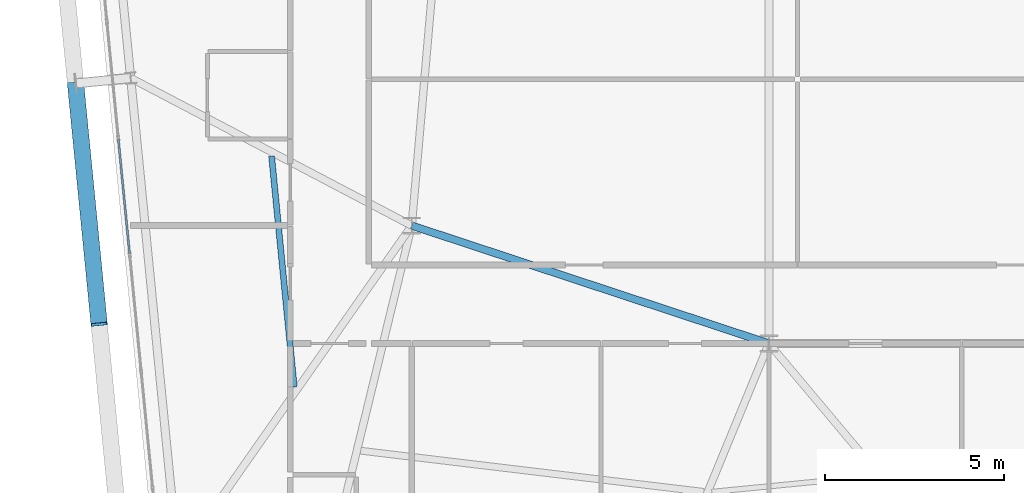
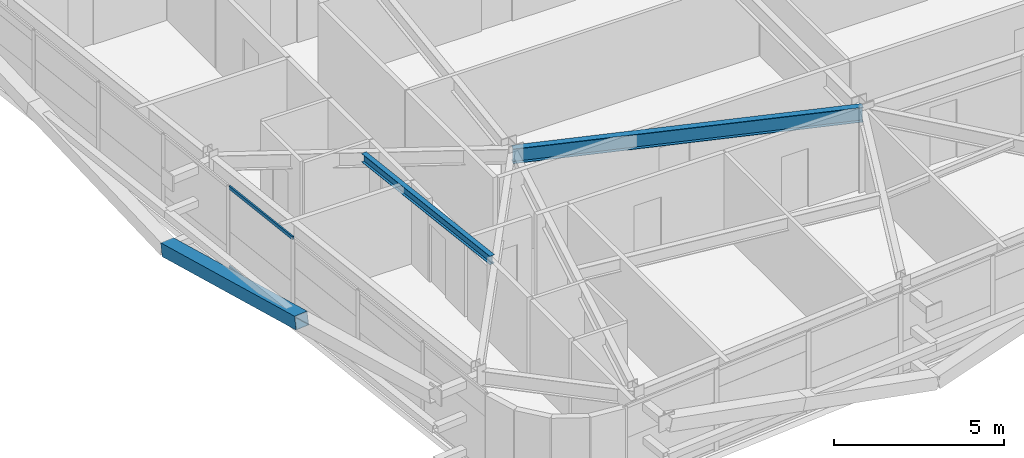
# One storey, part 9 of 54: 3 members, 2 beams, 1 element without a shape of its own.
"""IFC4 building model written with IfcOpenShell, lengths in metres."""

from ifc_helpers import new_model, si_unit, direction, frame, origin, origin_2d, place, context, subcontext, project, spatial, hollow_rectangle, i_section, extrude, source, transform, mapped, material, layer, layer_set, material_profile, profile_set, type_object, element, aggregate, save


model = new_model("IFC4")

# Units and contexts
model_context = context("Model", 3, precision=1e-05, world=origin(), true_north=direction((0.0, 1.0)))
body_context = subcontext(model_context, "Body", "Model", "MODEL_VIEW")
ifc_project = project(units=[si_unit("LENGTHUNIT", "METRE"), si_unit("AREAUNIT", "SQUARE_METRE"), si_unit("VOLUMEUNIT", "CUBIC_METRE"), si_unit("PLANEANGLEUNIT", "RADIAN"), si_unit("MASSUNIT", "GRAM", prefix="KILO")], contexts=[model_context])

# Site, building, storey
site_placement = place(None, origin())
site = spatial("IfcSite", under=ifc_project, at=site_placement, CompositionType="ELEMENT")
building_placement = place(site_placement, origin())
building = spatial("IfcBuilding", under=site, at=building_placement, Name="Taldren Reach Tower", CompositionType="ELEMENT")
storey_placement = place(building_placement, frame((0.0, 0.0, 102.89990234375)))
storey = spatial("IfcBuildingStorey", under=building, at=storey_placement, Name="L31", CompositionType="ELEMENT", Elevation=102.89990234375)

# Beams
ifc_material_1 = material(Name="Steel Gr 350 (350PLUS)", Category="steel")
ifc_material_profile_1 = material_profile(ifc_material_1, i_section(OverallWidth=0.208984375, OverallDepth=0.532958984375, WebThickness=0.01025390625, FlangeThickness=0.015625, at=origin_2d()), Name="530UB92.4")
ifc_profile_set_1 = profile_set([ifc_material_profile_1], Name="Steel Gr 350 (350PLUS)")
beam_type_1 = type_object("IfcBeamType", Name="BM-UB530A", PredefinedType="BEAM", material=ifc_profile_set_1)
shared_shape_1 = source(origin(), body_context, "Body", "SweptSolid", [
    extrude(i_section(OverallWidth=0.208984375, OverallDepth=0.532958984375, WebThickness=0.01025390625, FlangeThickness=0.015625, at=origin_2d()), origin(), (0.0, 0.0, 1.0), 10.530517578125),
])
beam_1_placement = place(storey_placement, frame((18.0, 12.5, 2.66357421875), z_axis=(0.949627269203, -0.313381635689, 0.0), x_axis=(0.313381635689, 0.949627269203, 0.0)))
element("IfcBeam", 1, at=beam_1_placement, inside=storey, type_object=beam_type_1, Name="Core-spine girder L31-SP10", PredefinedType="BEAM", context=body_context, shape_type="MappedRepresentation", body=[
    mapped(shared_shape_1, transform((0.0, 0.0, 0.0), scale=1.0)),
])
ifc_material_2 = material(Name="Steel Gr 300 (300PLUS, 300 MPa)", Category="steel")
ifc_material_profile_2 = material_profile(ifc_material_2, i_section(OverallWidth=0.166015625, OverallDepth=0.306884765625, WebThickness=0.006591796875, FlangeThickness=0.01171875, at=origin_2d()), Name="310UB46.2")
ifc_profile_set_2 = profile_set([ifc_material_profile_2], Name="Steel Gr 300 (300PLUS, 300 MPa)")
beam_type_2 = type_object("IfcBeamType", Name="JS-UB310", PredefinedType="JOIST", material=ifc_profile_set_2)
shared_shape_2 = source(origin(), body_context, "Body", "SweptSolid", [
    extrude(i_section(OverallWidth=0.166015625, OverallDepth=0.306884765625, WebThickness=0.006591796875, FlangeThickness=0.01171875, at=origin_2d()), origin(), (0.0, 0.0, 1.0), 6.489501953125),
])
beam_2_placement = place(storey_placement, frame((14.710693359375, 7.982666015625, 2.776611328125), z_axis=(-0.097588959486, 0.995226805802, 0.0), x_axis=(-0.995226805802, -0.097588959486, 0.0)))
element("IfcBeam", 2, at=beam_2_placement, inside=storey, type_object=beam_type_2, Name="Secondary floor joist B2 J6 L31", PredefinedType="JOIST", context=body_context, shape_type="MappedRepresentation", body=[
    mapped(shared_shape_2, transform((0.0, 0.0, 0.0), scale=1.0)),
])

# Member
ifc_material_3 = material(Name="Steel Gr 450 (C450L0)", Category="steel")
ifc_material_profile_3 = material_profile(ifc_material_3, hollow_rectangle(XDim=0.4599609375, YDim=0.4599609375, WallThickness=0.01611328125, at=origin_2d()), Name="460x460x16.0SHS")
ifc_profile_set_3 = profile_set([ifc_material_profile_3], Name="Steel Gr 450 (C450L0)")
member_type_1 = type_object("IfcMemberType", Name="MB-EXO457", PredefinedType="BRACE", material=ifc_profile_set_3)
shared_shape_3 = source(origin(), body_context, "Body", "SweptSolid", [
    extrude(hollow_rectangle(XDim=0.4599609375, YDim=0.4599609375, WallThickness=0.01611328125, at=origin_2d()), origin(), (0.0, 0.0, 1.0), 6.8828125),
])
member_1_placement = place(storey_placement, frame((8.587890625, 16.479736328125, 0.22021484375), z_axis=(0.096055397146, -0.979601884409, 0.176503565804), x_axis=(0.995226946838, 0.097587521166, 0.0)))
element("IfcMember", 3, at=member_1_placement, inside=storey, type_object=member_type_1, Name="Exoskeleton Diagrid Brace B2-W1 L31", PredefinedType="BRACE", context=body_context, shape_type="MappedRepresentation", body=[
    mapped(shared_shape_3, transform((0.0, 0.0, 0.0), scale=1.0)),
])

# Curtain wall, members
ifc_material_4 = material(Name="Aluminium and Low-E Glass Unitised System", Category="aluminium")
ifc_layer = layer(ifc_material_4, 0.159912109375)
ifc_layer_set = layer_set([ifc_layer], Name="Aluminium and Low-E Glass Unitised System")
curtain_wall_type = type_object("IfcCurtainWallType", Name="CW-SYS-3", PredefinedType="NOTDEFINED", material=ifc_layer_set)
curtain_wall_placement = place(storey_placement, origin())
curtain_wall = element("IfcCurtainWall", 4, at=curtain_wall_placement, inside=storey, type_object=curtain_wall_type, Name="Unitised curtain wall CW-L31-W", PredefinedType="NOTDEFINED")
ifc_material_5 = material(Name="Anodised Aluminium 6063-T6", Category="aluminium")
ifc_material_profile_4 = material_profile(ifc_material_5, hollow_rectangle(XDim=0.054931640625, YDim=0.1201171875, WallThickness=0.0029296875, at=origin_2d()), Name="ALU-120x55x3RHS")
ifc_profile_set_4 = profile_set([ifc_material_profile_4], Name="Anodised Aluminium 6063-T6")
member_type_2 = type_object("IfcMemberType", Name="CW-TRN-135", PredefinedType="USERDEFINED", material=ifc_profile_set_4)
shared_shape_4 = source(origin(), body_context, "Body", "SweptSolid", [
    extrude(hollow_rectangle(XDim=0.054931640625, YDim=0.1201171875, WallThickness=0.0029296875, at=origin_2d()), origin(), (0.0, 0.0, 1.0), 3.212890625),
])
member_2_placement = place(storey_placement, frame((9.7861328125, 14.91796875, 0.027587890625), z_axis=(0.097569948235, -0.995228669805, 0.0), x_axis=(0.995228669805, 0.097569948235, 0.0)))
member_2 = element("IfcMember", 5, at=member_2_placement, type_object=member_type_2, Name="CW-3 transom 6.1", ObjectType="TRANSOM", PredefinedType="USERDEFINED", context=body_context, shape_type="MappedRepresentation", body=[
    mapped(shared_shape_4, transform((0.0, 0.0, 0.0), scale=1.0)),
])
member_3_placement = place(storey_placement, frame((9.7861328125, 14.91796875, 2.902587890625), z_axis=(0.097569948235, -0.995228669805, 0.0), x_axis=(0.995228669805, 0.097569948235, 0.0)))
member_3 = element("IfcMember", 6, at=member_3_placement, type_object=member_type_2, Name="CW-3 transom 6.2", ObjectType="TRANSOM", PredefinedType="USERDEFINED", context=body_context, shape_type="MappedRepresentation", body=[
    mapped(shared_shape_4, transform((0.0, 0.0, 0.0), scale=1.0)),
])
aggregate(curtain_wall, [member_2, member_3])

save(model, "model.ifc")
